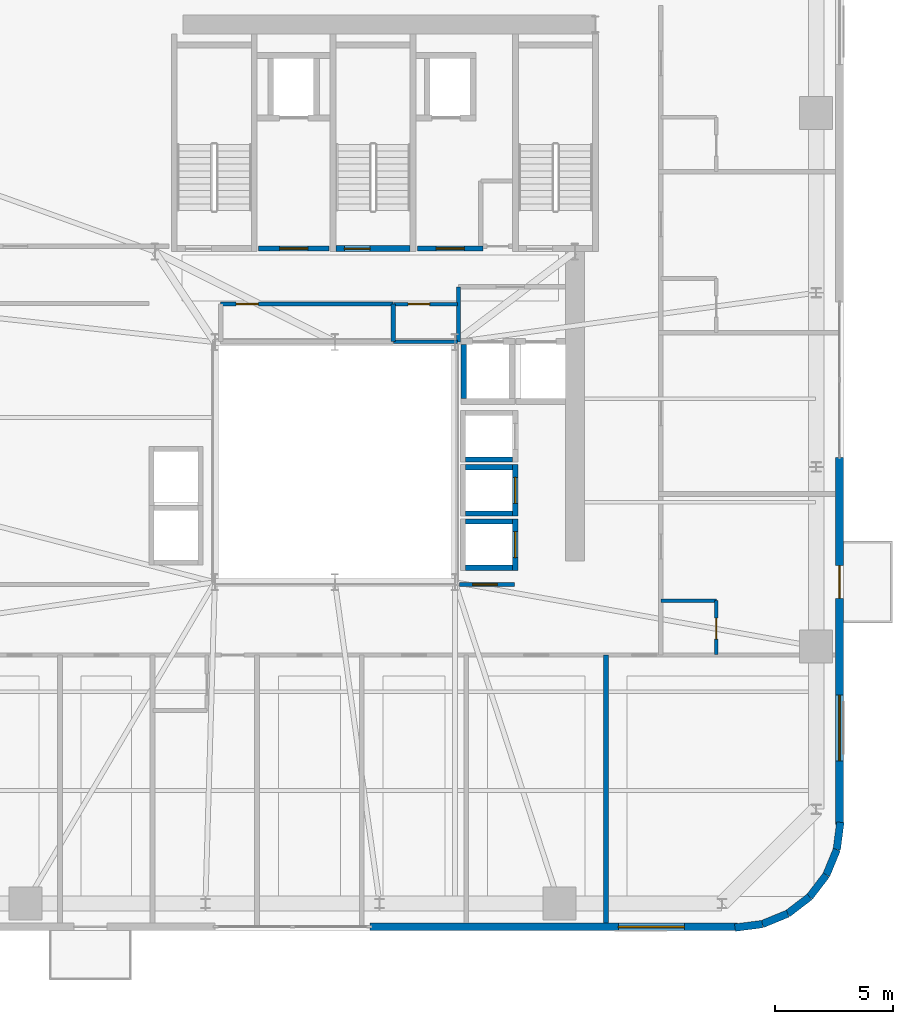
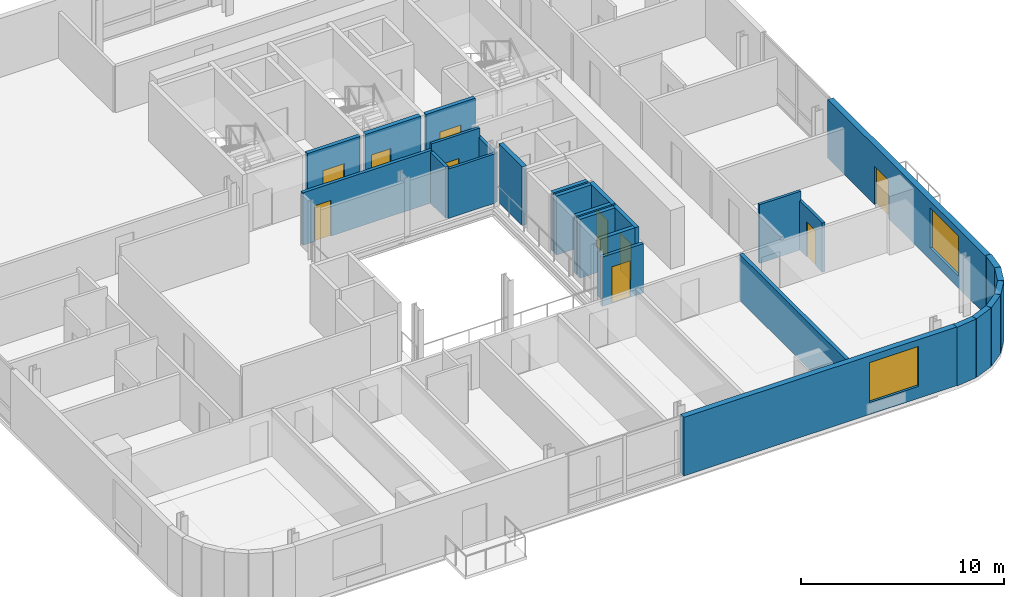
# One storey, part 9 of 16: 28 walls, 10 doors, 2 windows, 12 openings.
"""IFC4 building model written with IfcOpenShell, lengths in metres."""

import ifcopenshell
import ifcopenshell.guid

model = None  # the IFC model being written
_history = None  # IfcOwnerHistory: only IFC2X3 demands one
_inside = {}  # id of a spatial element -> (the spatial element, [elements in it])
_under = {}  # id of a project, library or spatial element -> (it, [spatial elements below it])
_declared = {}  # id of a project -> (the project, [libraries it declares])
_typed = {}  # id of a type object -> (the type object, [elements of that type])
_made_of = {}  # id of a material, layer set ... -> (it, [elements and type objects made of it])


def new_model(schema):
    """Start an empty IFC model of exactly this schema.

    Asked for "IFC4X3", IfcOpenShell would pick the latest addendum, in which some entities
    have other attributes; the version numbers below select the first issue.
    IFC2X3 requires an IfcOwnerHistory on every rooted entity: one is made here for all.
    """
    global model, _history
    if schema == "IFC4X3":
        model = ifcopenshell.file(schema_version=(4, 3, 0, 0))
    else:
        model = ifcopenshell.file(schema=schema)
    _inside.clear()
    _under.clear()
    _declared.clear()
    _typed.clear()
    _made_of.clear()
    _history = None
    if model.schema == "IFC2X3":
        org = make("IfcOrganization", Name="unknown")
        user = make(
            "IfcPersonAndOrganization",
            ThePerson=make("IfcPerson", FamilyName="unknown"),
            TheOrganization=org,
        )
        app = make(
            "IfcApplication",
            ApplicationDeveloper=org,
            Version="unknown",
            ApplicationFullName="unknown",
            ApplicationIdentifier="unknown",
        )
        _history = make(
            "IfcOwnerHistory",
            OwningUser=user,
            OwningApplication=app,
            ChangeAction="ADDED",
            CreationDate=0,
        )
    return model


def make(cls, **values):
    """One entity of the class cls with the attributes given. An attribute that is None is left unset."""
    return model.create_entity(
        cls, **{name: value for name, value in values.items() if value is not None}
    )


def rooted(cls, **values):
    """An entity with a GlobalId (a new one), such as an element, a storey or a relation."""
    return make(cls, GlobalId=ifcopenshell.guid.new(), OwnerHistory=_history, **values)


def si_unit(unit_type, name, prefix=None):
    """IfcSIUnit, for example si_unit("LENGTHUNIT", "METRE", prefix="MILLI")."""
    return make("IfcSIUnit", UnitType=unit_type, Prefix=prefix, Name=name)


def assignment(units):
    """IfcUnitAssignment: the units of a project."""
    return None if units is None else make("IfcUnitAssignment", Units=units)


def point(xyz):
    """IfcCartesianPoint."""
    return None if xyz is None else make("IfcCartesianPoint", Coordinates=xyz)


def direction(xyz):
    """IfcDirection."""
    return None if xyz is None else make("IfcDirection", DirectionRatios=xyz)


def frame(location, z_axis=None, x_axis=None):
    """IfcAxis2Placement3D, a coordinate frame: its origin and axes. An axis left out is left unset."""
    return make(
        "IfcAxis2Placement3D",
        Location=point(location),
        Axis=direction(z_axis),
        RefDirection=direction(x_axis),
    )


def frame_2d(location, x_axis=None):
    """IfcAxis2Placement2D, a coordinate frame in the plane: its origin and x axis."""
    return make(
        "IfcAxis2Placement2D", Location=point(location), RefDirection=direction(x_axis)
    )


def origin():
    """The frame at (0, 0, 0) with its axes left unset."""
    return frame((0.0, 0.0, 0.0))


def place(relative_to, where):
    """IfcLocalPlacement: puts the frame where relative to a parent placement (None: the world)."""
    return make(
        "IfcLocalPlacement", PlacementRelTo=relative_to, RelativePlacement=where
    )


def context(
    kind, dimensions, precision=None, world=None, true_north=None, identifier=None
):
    """IfcGeometricRepresentationContext, for example the 3D "Model" context."""
    return make(
        "IfcGeometricRepresentationContext",
        ContextIdentifier=identifier,
        ContextType=kind,
        CoordinateSpaceDimension=dimensions,
        Precision=precision,
        WorldCoordinateSystem=world,
        TrueNorth=true_north,
    )


def subcontext(parent, identifier, kind, view, scale=None):
    """IfcGeometricRepresentationSubContext, for example "Body" below "Model"."""
    return make(
        "IfcGeometricRepresentationSubContext",
        ContextIdentifier=identifier,
        ContextType=kind,
        ParentContext=parent,
        TargetScale=scale,
        TargetView=view,
    )


def project(units=None, contexts=None):
    """IfcProject with its units and contexts."""
    return rooted(
        "IfcProject",
        Name="project",
        RepresentationContexts=contexts,
        UnitsInContext=assignment(units),
    )


def spatial(cls, under=None, at=None, **own):
    """A site, building, storey or space (cls), placed at a placement, below another one or the project."""
    s = rooted(cls, ObjectPlacement=at, **own)
    if under is not None:
        _under.setdefault(under.id(), (under, []))[1].append(s)
    return s


def profile(cls, at=None, kind="AREA", **sizes):
    """A parametric profile (cls). Its sizes go by their IFC names, for example OverallWidth=200.0."""
    return make(cls, ProfileType=kind, Position=at, **sizes)


def rectangle(**sizes):
    """IfcRectangleProfileDef."""
    return profile("IfcRectangleProfileDef", **sizes)


def extrude(swept, where, along, depth):
    """IfcExtrudedAreaSolid: the profile swept, set in the frame where, extruded along a direction by depth."""
    return make(
        "IfcExtrudedAreaSolid",
        SweptArea=swept,
        Position=where,
        ExtrudedDirection=direction(along),
        Depth=depth,
    )


def shape(context_of_items, identifier, shape_type, items):
    """IfcShapeRepresentation: the items that make up one representation, for example the "Body"."""
    return make(
        "IfcShapeRepresentation",
        ContextOfItems=context_of_items,
        RepresentationIdentifier=identifier,
        RepresentationType=shape_type,
        Items=items,
    )


def source(mapping_origin, context_of_items, identifier, shape_type, items):
    """IfcRepresentationMap: a shape defined once, which mapped items show again and again."""
    return make(
        "IfcRepresentationMap",
        MappingOrigin=mapping_origin,
        MappedRepresentation=shape(context_of_items, identifier, shape_type, items),
    )


def transform(
    local_origin,
    x_axis=None,
    y_axis=None,
    z_axis=None,
    scale=None,
    scale2=None,
    scale3=None,
    uniform=True,
):
    """IfcCartesianTransformationOperator3D, or its non-uniform kind. x_axis, y_axis, z_axis: its Axis1, 2, 3."""
    if uniform:
        return make(
            "IfcCartesianTransformationOperator3D",
            Axis1=direction(x_axis),
            Axis2=direction(y_axis),
            LocalOrigin=point(local_origin),
            Scale=scale,
            Axis3=direction(z_axis),
        )
    return make(
        "IfcCartesianTransformationOperator3DnonUniform",
        Axis1=direction(x_axis),
        Axis2=direction(y_axis),
        LocalOrigin=point(local_origin),
        Scale=scale,
        Axis3=direction(z_axis),
        Scale2=scale2,
        Scale3=scale3,
    )


def mapped(mapping_source, mapping_target):
    """IfcMappedItem: shows the shape of a source again, moved by a transform."""
    return make(
        "IfcMappedItem", MappingSource=mapping_source, MappingTarget=mapping_target
    )


def material(Name=None, Category=None):
    """IfcMaterial."""
    return make("IfcMaterial", Name=Name, Category=Category)


def layer(
    of_material, thickness, ventilated=None, Name=None, Category=None, Priority=None
):
    """IfcMaterialLayer: one layer of a wall or slab, of a material (None: an air gap)."""
    return make(
        "IfcMaterialLayer",
        Material=of_material,
        LayerThickness=thickness,
        IsVentilated=ventilated,
        Name=Name,
        Category=Category,
        Priority=Priority,
    )


def layer_set(layers, Name=None):
    """IfcMaterialLayerSet."""
    return make("IfcMaterialLayerSet", MaterialLayers=layers, LayerSetName=Name)


def made_of(thing, what):
    """Note that an element or type object is made of a material, layer set ...; save() writes the relation."""
    if what is not None:
        _made_of.setdefault(what.id(), (what, []))[1].append(thing)
    return thing


def type_object(cls, material=None, **own):
    """A type object (cls), such as IfcWallType, which elements share."""
    return made_of(rooted(cls, **own), material)


def element(
    cls,
    number,
    at=None,
    inside=None,
    cuts=None,
    type_object=None,
    material=None,
    context=None,
    identifier="Body",
    shape_type=None,
    held_by="IfcProductDefinitionShape",
    body=None,
    shapes=None,
    **own,
):
    """One element of the class cls, such as IfcWall. Its Tag is "e" and its number.

    at: its placement. inside: the storey or other place that contains it. cuts: it is an
    opening in that element (IfcRelVoidsElement). A single representation is given by context,
    identifier, shape_type and body (its items); several are given by shapes. held_by: the class
    of the entity that holds the representations. save() writes the other relations.
    """
    e = rooted(cls, Tag="e%d" % number, ObjectPlacement=at, **own)
    if body is not None:
        shapes = [shape(context, identifier, shape_type, body)]
    if shapes is not None:
        e.Representation = make(held_by, Representations=shapes)
    if inside is not None:
        _inside.setdefault(inside.id(), (inside, []))[1].append(e)
    if cuts is not None:
        rooted(
            "IfcRelVoidsElement", RelatingBuildingElement=cuts, RelatedOpeningElement=e
        )
    if type_object is not None:
        _typed.setdefault(type_object.id(), (type_object, []))[1].append(e)
    return made_of(e, material)


def fill(opening, filler):
    """IfcRelFillsElement: the door or window that sits in an opening."""
    return rooted(
        "IfcRelFillsElement",
        RelatingOpeningElement=opening,
        RelatedBuildingElement=filler,
    )


def aggregate(whole, parts):
    """IfcRelAggregates: a whole, such as a stair, and the parts it consists of."""
    return rooted("IfcRelAggregates", RelatingObject=whole, RelatedObjects=parts)


def save(model, path):
    """Write the relations noted so far, then the file.

    IfcRelAggregates (storeys below a building ...), IfcRelContainedInSpatialStructure (elements
    in a storey), IfcRelDefinesByType, IfcRelAssociatesMaterial and IfcRelDeclares: one each for
    every whole, place, type object, material and project.
    """
    for whole, parts in _under.values():
        aggregate(whole, parts)
    for where, things in _inside.values():
        rooted(
            "IfcRelContainedInSpatialStructure",
            RelatedElements=things,
            RelatingStructure=where,
        )
    for kind, things in _typed.values():
        rooted("IfcRelDefinesByType", RelatedObjects=things, RelatingType=kind)
    for what, things in _made_of.values():
        rooted("IfcRelAssociatesMaterial", RelatedObjects=things, RelatingMaterial=what)
    for by, libraries in _declared.values():
        rooted("IfcRelDeclares", RelatingContext=by, RelatedDefinitions=libraries)
    model.write(path)


model = new_model("IFC4")

# Units and contexts
model_context = context("Model", 3, precision=1e-05, world=origin(), true_north=direction((0.0, 1.0)))
body_context = subcontext(model_context, "Body", "Model", "MODEL_VIEW")
ifc_project = project(units=[si_unit("LENGTHUNIT", "METRE"), si_unit("AREAUNIT", "SQUARE_METRE"), si_unit("VOLUMEUNIT", "CUBIC_METRE"), si_unit("PLANEANGLEUNIT", "RADIAN"), si_unit("MASSUNIT", "GRAM", prefix="KILO")], contexts=[model_context])

# Site, building, storey
site_placement = place(None, origin())
site = spatial("IfcSite", under=ifc_project, at=site_placement, CompositionType="ELEMENT")
building_placement = place(site_placement, origin())
building = spatial("IfcBuilding", under=site, at=building_placement, Name="Vardaveli Station Tower", CompositionType="ELEMENT")
storey_placement = place(building_placement, frame((0.0, 0.0, 211.050048828125)))
storey = spatial("IfcBuildingStorey", under=building, at=storey_placement, Name="L54", CompositionType="ELEMENT", Elevation=211.050048828125)

# Wall, opening, window
ifc_material_1 = material(Name="Precast concrete C45/55", Category="concrete")
ifc_layer_1 = layer(ifc_material_1, 0.320068359375, Name="Precast concrete C45/55")
ifc_layer_set_1 = layer_set([ifc_layer_1], Name="Precast concrete C45/55")
wall_type_1 = type_object("IfcWallType", Name="WAL-EXT-STONE-320", PredefinedType="SOLIDWALL", material=ifc_layer_set_1)
shared_shape_1 = source(origin(), body_context, "Body", "SweptSolid", [
    extrude(rectangle(XDim=15.599853515625, YDim=0.320068359375, at=frame_2d((7.7998046875, 0.0))), origin(), (0.0, 0.0, 1.0), 3.530029296875),
])
wall_1_placement = place(storey_placement, frame((37.800048828125, 1.9599609375, 0.0), z_axis=(0.0, 0.0, 1.0), x_axis=(1.0, 0.0, 0.0)))
wall_1 = element("IfcWall", 1, at=wall_1_placement, inside=storey, type_object=wall_type_1, Name="EW-L54-S2", PredefinedType="SOLIDWALL", context=body_context, shape_type="MappedRepresentation", body=[
    mapped(shared_shape_1, transform((0.0, 0.0, 0.0), scale=1.0)),
])
shared_shape_2 = source(origin(), body_context, "Body", "SweptSolid", [
    extrude(rectangle(XDim=2.800048828125, YDim=2.39990234375, at=frame_2d((1.39990234375, 1.199951171875))), frame((0.0, 0.169921875, 0.0), z_axis=(0.0, -1.0, 0.0), x_axis=(1.0, 0.0, 0.0)), (0.0, 0.0, 1.0), 0.340087890625),
])
opening_1_placement = place(wall_1_placement, frame((10.544921875, 0.0, 0.719970703125)))
opening_1 = element("IfcOpeningElement", 2, at=opening_1_placement, cuts=wall_1, Name="Opening W-04", PredefinedType="OPENING", context=body_context, shape_type="MappedRepresentation", body=[
    mapped(shared_shape_2, transform((0.0, 0.0, 0.0), scale=1.0)),
])
ifc_material_2 = material(Name="Low-E solar-control glass", Category="glass")
window_type = type_object("IfcWindowType", Name="WIN-SUITE-2800x2400", PartitioningType="SINGLE_PANEL", PredefinedType="WINDOW", material=ifc_material_2)
shared_shape_3 = source(origin(), body_context, "Body", "SweptSolid", [
    extrude(rectangle(XDim=2.800048828125, YDim=2.39990234375, at=frame_2d((1.39990234375, 1.199951171875))), frame((0.0, 0.030029296875, 0.0), z_axis=(0.0, -1.0, 0.0), x_axis=(1.0, 0.0, 0.0)), (0.0, 0.0, 1.0), 0.06005859375),
])
window_1_placement = place(opening_1_placement, origin())
window_1 = element("IfcWindow", 3, at=window_1_placement, inside=storey, type_object=window_type, Name="WN-L54-S2", OverallHeight=2.39990234375, OverallWidth=2.800048828125, PartitioningType="SINGLE_PANEL", PredefinedType="WINDOW", context=body_context, shape_type="MappedRepresentation", body=[
    mapped(shared_shape_3, transform((0.0, 0.0, 0.0), scale=1.0)),
])
fill(opening_1, window_1)

# Wall, openings, door, window
wall_2_placement = place(storey_placement, frame((57.739990234375, 6.300048828125, 0.0), z_axis=(0.0, 0.0, 1.0), x_axis=(0.0, 1.0, 0.0)))
wall_2 = element("IfcWall", 4, at=wall_2_placement, inside=storey, type_object=wall_type_1, Name="EW-L54-E1", PredefinedType="SOLIDWALL", context=body_context, shape_type="MappedRepresentation", body=[
    mapped(shared_shape_1, transform((0.0, 0.0, 0.0), scale=1.0)),
])
shared_shape_4 = source(origin(), body_context, "Body", "SweptSolid", [
    extrude(rectangle(XDim=1.39990234375, YDim=2.300048828125, at=frame_2d((0.699951171875, 1.14990234375))), frame((0.0, 0.169921875, 0.0), z_axis=(0.0, -1.0, 0.0), x_axis=(1.0, 0.0, 0.0)), (0.0, 0.0, 1.0), 0.340087890625),
])
opening_2_placement = place(wall_2_placement, frame((9.6103515625, 0.0, 0.0)))
opening_2 = element("IfcOpeningElement", 5, at=opening_2_placement, cuts=wall_2, Name="Opening D-09", PredefinedType="OPENING", context=body_context, shape_type="MappedRepresentation", body=[
    mapped(shared_shape_4, transform((0.0, 0.0, 0.0), scale=1.0)),
])
opening_3_placement = place(wall_2_placement, frame((2.705078125, 0.0, 0.719970703125)))
opening_3 = element("IfcOpeningElement", 6, at=opening_3_placement, cuts=wall_2, Name="Opening W-04", PredefinedType="OPENING", context=body_context, shape_type="MappedRepresentation", body=[
    mapped(shared_shape_2, transform((0.0, 0.0, 0.0), scale=1.0)),
])
ifc_material_3 = material(Name="Thermally broken aluminium glass", Category="aluminium")
door_type_1 = type_object("IfcDoorType", Name="DR-LOG-1400x2300", OperationType="DOUBLE_DOOR_SLIDING", PredefinedType="DOOR", material=ifc_material_3)
shared_shape_5 = source(origin(), body_context, "Body", "SweptSolid", [
    extrude(rectangle(XDim=1.39990234375, YDim=2.300048828125, at=frame_2d((0.699951171875, 1.14990234375))), frame((0.0, 0.02490234375, 0.0), z_axis=(0.0, -1.0, 0.0), x_axis=(1.0, 0.0, 0.0)), (0.0, 0.0, 1.0), 0.050048828125),
])
door_1_placement = place(opening_2_placement, frame((1.39990234375, 0.0, 0.0), z_axis=(0.0, 0.0, 1.0), x_axis=(-1.0, 0.0, 0.0)))
door_1 = element("IfcDoor", 7, at=door_1_placement, inside=storey, type_object=door_type_1, Name="DLG-L54-E", OperationType="DOUBLE_DOOR_SLIDING", OverallHeight=2.300048828125, OverallWidth=1.39990234375, PredefinedType="DOOR", context=body_context, shape_type="MappedRepresentation", body=[
    mapped(shared_shape_5, transform((0.0, 0.0, 0.0), scale=1.0)),
])
fill(opening_2, door_1)
window_2_placement = place(opening_3_placement, origin())
window_2 = element("IfcWindow", 8, at=window_2_placement, inside=storey, type_object=window_type, Name="WN-L54-E1", OverallHeight=2.39990234375, OverallWidth=2.800048828125, PartitioningType="SINGLE_PANEL", PredefinedType="WINDOW", context=body_context, shape_type="MappedRepresentation", body=[
    mapped(shared_shape_3, transform((0.0, 0.0, 0.0), scale=1.0)),
])
fill(opening_3, window_2)

# Walls
shared_shape_6 = source(origin(), body_context, "Body", "SweptSolid", [
    extrude(rectangle(XDim=1.170654296875, YDim=0.320068359375, at=frame_2d((0.58544921875, 0.0))), origin(), (0.0, 0.0, 1.0), 3.530029296875),
])
wall_3_placement = place(storey_placement, frame((57.62548828125, 5.23974609375, 0.0), z_axis=(0.0, 0.0, 1.0), x_axis=(0.128269133229, 0.991739395941, 0.0)))
element("IfcWall", 9, at=wall_3_placement, inside=storey, type_object=wall_type_1, Name="EW-L54-CR2-6", PredefinedType="SOLIDWALL", context=body_context, shape_type="MappedRepresentation", body=[
    mapped(shared_shape_6, transform((0.0, 0.0, 0.0), scale=1.0)),
])
shared_shape_7 = source(origin(), body_context, "Body", "SweptSolid", [
    extrude(rectangle(XDim=1.1689453125, YDim=0.320068359375, at=frame_2d((0.58447265625, 0.0))), origin(), (0.0, 0.0, 1.0), 3.530029296875),
])
for number, where, z_axis, x_axis, name in (
    (10, (56.46875, 3.231201171875, 0.0), (0.0, 0.0, 1.0), (0.608387696831, 0.793639975269, 0.0), "EW-L54-CR2-4"),
    (11, (57.179931640625, 4.158935546875, 0.0), (0.0, 0.0, 1.0), (0.381127904695, 0.924522320046, 0.0), "EW-L54-CR2-5"),
):
    element("IfcWall", number, at=place(storey_placement, frame(where, z_axis=z_axis, x_axis=x_axis)), inside=storey, type_object=wall_type_1, Name=name, PredefinedType="SOLIDWALL", context=body_context, shape_type="MappedRepresentation", body=[
        mapped(shared_shape_7, transform((0.0, 0.0, 0.0), scale=1.0)),
    ])
shared_shape_8 = source(origin(), body_context, "Body", "SweptSolid", [
    extrude(rectangle(XDim=1.168701171875, YDim=0.320068359375, at=frame_2d((0.58447265625, 0.0))), origin(), (0.0, 0.0, 1.0), 3.530029296875),
])
wall_4_placement = place(storey_placement, frame((55.541259765625, 2.520263671875, 0.0), z_axis=(0.0, 0.0, 1.0), x_axis=(0.793663520347, 0.608356981114, 0.0)))
element("IfcWall", 12, at=wall_4_placement, inside=storey, type_object=wall_type_1, Name="EW-L54-CR2-3", PredefinedType="SOLIDWALL", context=body_context, shape_type="MappedRepresentation", body=[
    mapped(shared_shape_8, transform((0.0, 0.0, 0.0), scale=1.0)),
])
shared_shape_9 = source(origin(), body_context, "Body", "SweptSolid", [
    extrude(rectangle(XDim=1.16943359375, YDim=0.320068359375, at=frame_2d((0.584716796875, 0.0))), origin(), (0.0, 0.0, 1.0), 3.530029296875),
])
wall_5_placement = place(storey_placement, frame((54.460205078125, 2.074462890625, 0.0), z_axis=(0.0, 0.0, 1.0), x_axis=(0.924479075121, 0.381232789334, 0.0)))
element("IfcWall", 13, at=wall_5_placement, inside=storey, type_object=wall_type_1, Name="EW-L54-CR2-2", PredefinedType="SOLIDWALL", context=body_context, shape_type="MappedRepresentation", body=[
    mapped(shared_shape_9, transform((0.0, 0.0, 0.0), scale=1.0)),
])
shared_shape_10 = source(origin(), body_context, "Body", "SweptSolid", [
    extrude(rectangle(XDim=1.170166015625, YDim=0.320068359375, at=frame_2d((0.5849609375, 0.0))), origin(), (0.0, 0.0, 1.0), 3.530029296875),
])
wall_6_placement = place(storey_placement, frame((53.299560546875, 1.924560546875, 0.0), z_axis=(0.0, 0.0, 1.0), x_axis=(0.991762485493, 0.128090485085, 0.0)))
element("IfcWall", 14, at=wall_6_placement, inside=storey, type_object=wall_type_1, Name="EW-L54-CR2-1", PredefinedType="SOLIDWALL", context=body_context, shape_type="MappedRepresentation", body=[
    mapped(shared_shape_10, transform((0.0, 0.0, 0.0), scale=1.0)),
])

# Wall, opening, door
ifc_material_4 = material(Name="Concrete C40/50", Category="concrete")
ifc_layer_2 = layer(ifc_material_4, 0.25, Name="Concrete C40/50")
ifc_layer_set_2 = layer_set([ifc_layer_2], Name="Concrete C40/50")
wall_type_2 = type_object("IfcWallType", Name="WAL-SHAFT-250", PredefinedType="SOLIDWALL", material=ifc_layer_set_2)
shared_shape_11 = source(origin(), body_context, "Body", "SweptSolid", [
    extrude(rectangle(XDim=3.14990234375, YDim=0.25, at=frame_2d((1.574951171875, 0.0))), origin(), (0.0, 0.0, 1.0), 3.550048828125),
])
wall_7_placement = place(storey_placement, frame((36.35009765625, 30.77490234375, 0.0), z_axis=(0.0, 0.0, 1.0), x_axis=(1.0, 0.0, 0.0)))
wall_7 = element("IfcWall", 15, at=wall_7_placement, inside=storey, type_object=wall_type_2, Name="W-L54-ST-2S", PredefinedType="SOLIDWALL", context=body_context, shape_type="MappedRepresentation", body=[
    mapped(shared_shape_11, transform((0.0, 0.0, 0.0), scale=1.0)),
])
shared_shape_12 = source(origin(), body_context, "Body", "SweptSolid", [
    extrude(rectangle(XDim=1.10009765625, YDim=2.199951171875, at=frame_2d((0.550048828125, 1.10009765625))), frame((0.0, 0.135009765625, 0.0), z_axis=(0.0, -1.0, 0.0), x_axis=(1.0, 0.0, 0.0)), (0.0, 0.0, 1.0), 0.27001953125),
])
opening_4_placement = place(wall_7_placement, frame((0.35009765625, 0.0, 0.0)))
opening_4 = element("IfcOpeningElement", 16, at=opening_4_placement, cuts=wall_7, Name="Opening D-04", PredefinedType="OPENING", context=body_context, shape_type="MappedRepresentation", body=[
    mapped(shared_shape_12, transform((0.0, 0.0, 0.0), scale=1.0)),
])
ifc_material_5 = material(Name="Steel smokeproof fire doorset", Category="steel")
door_type_2 = type_object("IfcDoorType", Name="DR-ST-1100x2200", OperationType="NOTDEFINED", PredefinedType="DOOR", material=ifc_material_5)
shared_shape_13 = source(origin(), body_context, "Body", "SweptSolid", [
    extrude(rectangle(XDim=1.10009765625, YDim=2.199951171875, at=frame_2d((0.550048828125, 1.10009765625))), frame((0.0, 0.02490234375, 0.0), z_axis=(0.0, -1.0, 0.0), x_axis=(1.0, 0.0, 0.0)), (0.0, 0.0, 1.0), 0.050048828125),
])
door_2_placement = place(opening_4_placement, origin())
door_2 = element("IfcDoor", 17, at=door_2_placement, inside=storey, type_object=door_type_2, Name="DST-2-L54", OperationType="SINGLE_SWING_LEFT", OverallHeight=2.199951171875, OverallWidth=1.10009765625, PredefinedType="DOOR", context=body_context, shape_type="MappedRepresentation", body=[
    mapped(shared_shape_13, transform((0.0, 0.0, 0.0), scale=1.0)),
])
fill(opening_4, door_2)

ifc_layer_3 = layer(ifc_material_4, 0.219970703125, Name="Concrete C40/50")
ifc_layer_set_3 = layer_set([ifc_layer_3], Name="Concrete C40/50")
wall_type_3 = type_object("IfcWallType", Name="WAL-FFLOBBY-220", PredefinedType="SOLIDWALL", material=ifc_layer_set_3)
shared_shape_14 = source(origin(), body_context, "Body", "SweptSolid", [
    extrude(rectangle(XDim=3.0, YDim=0.219970703125, at=frame_2d((1.5, 0.0))), origin(), (0.0, 0.0, 1.0), 3.530029296875),
])
wall_8_placement = place(storey_placement, frame((33.050048828125, 30.780029296875, 0.0), z_axis=(0.0, 0.0, 1.0), x_axis=(1.0, 0.0, 0.0)))
wall_8 = element("IfcWall", 18, at=wall_8_placement, inside=storey, type_object=wall_type_3, Name="W-L54-FFL1S", PredefinedType="SOLIDWALL", context=body_context, shape_type="MappedRepresentation", body=[
    mapped(shared_shape_14, transform((0.0, 0.0, 0.0), scale=1.0)),
])
shared_shape_15 = source(origin(), body_context, "Body", "SweptSolid", [
    extrude(rectangle(XDim=1.199951171875, YDim=2.199951171875, at=frame_2d((0.60009765625, 1.10009765625))), frame((0.0, 0.1201171875, 0.0), z_axis=(0.0, -1.0, 0.0), x_axis=(1.0, 0.0, 0.0)), (0.0, 0.0, 1.0), 0.239990234375),
])
opening_5_placement = place(wall_8_placement, frame((0.89990234375, 0.0, 0.0)))
opening_5 = element("IfcOpeningElement", 19, at=opening_5_placement, cuts=wall_8, Name="Opening D-03", PredefinedType="OPENING", context=body_context, shape_type="MappedRepresentation", body=[
    mapped(shared_shape_15, transform((0.0, 0.0, 0.0), scale=1.0)),
])
door_type_3 = type_object("IfcDoorType", Name="DR-FFL-1200x2200", OperationType="NOTDEFINED", PredefinedType="DOOR", material=ifc_material_5)
shared_shape_16 = source(origin(), body_context, "Body", "SweptSolid", [
    extrude(rectangle(XDim=1.199951171875, YDim=2.199951171875, at=frame_2d((0.60009765625, 1.10009765625))), frame((0.0, 0.02490234375, 0.0), z_axis=(0.0, -1.0, 0.0), x_axis=(1.0, 0.0, 0.0)), (0.0, 0.0, 1.0), 0.050048828125),
])
door_3_placement = place(opening_5_placement, origin())
door_3 = element("IfcDoor", 20, at=door_3_placement, inside=storey, type_object=door_type_3, Name="DFFL1-L54", OperationType="SINGLE_SWING_LEFT", OverallHeight=2.199951171875, OverallWidth=1.199951171875, PredefinedType="DOOR", context=body_context, shape_type="MappedRepresentation", body=[
    mapped(shared_shape_16, transform((0.0, 0.0, 0.0), scale=1.0)),
])
fill(opening_5, door_3)

shared_shape_17 = source(origin(), body_context, "Body", "SweptSolid", [
    extrude(rectangle(XDim=2.800048828125, YDim=0.219970703125, at=frame_2d((1.39990234375, 0.0))), origin(), (0.0, 0.0, 1.0), 3.530029296875),
])
wall_9_placement = place(storey_placement, frame((39.800048828125, 30.780029296875, 0.0), z_axis=(0.0, 0.0, 1.0), x_axis=(1.0, 0.0, 0.0)))
wall_9 = element("IfcWall", 21, at=wall_9_placement, inside=storey, type_object=wall_type_3, Name="W-L54-FFL2S", PredefinedType="SOLIDWALL", context=body_context, shape_type="MappedRepresentation", body=[
    mapped(shared_shape_17, transform((0.0, 0.0, 0.0), scale=1.0)),
])
opening_6_placement = place(wall_9_placement, frame((0.800048828125, 0.0, 0.0)))
opening_6 = element("IfcOpeningElement", 22, at=opening_6_placement, cuts=wall_9, Name="Opening D-03", PredefinedType="OPENING", context=body_context, shape_type="MappedRepresentation", body=[
    mapped(shared_shape_15, transform((0.0, 0.0, 0.0), scale=1.0)),
])
door_4_placement = place(opening_6_placement, origin())
door_4 = element("IfcDoor", 23, at=door_4_placement, inside=storey, type_object=door_type_3, Name="DFFL2-L54", OperationType="SINGLE_SWING_RIGHT", OverallHeight=2.199951171875, OverallWidth=1.199951171875, PredefinedType="DOOR", context=body_context, shape_type="MappedRepresentation", body=[
    mapped(shared_shape_16, transform((0.0, 0.0, 0.0), scale=1.0)),
])
fill(opening_6, door_4)

# Walls
shared_shape_18 = source(origin(), body_context, "Body", "SweptSolid", [
    extrude(rectangle(XDim=2.0, YDim=0.219970703125, at=frame_2d((1.0, 0.0))), origin(), (0.0, 0.0, 1.0), 3.530029296875),
])
for number, where, z_axis, x_axis, name in (
    (24, (41.85009765625, 21.81494140625, 0.0), (0.0, 0.0, 1.0), (1.0, 0.0, 0.0), "SHW-HL3-01-L54-S"),
    (25, (41.85009765625, 19.514892578125, 0.0), (0.0, 0.0, 1.0), (1.0, 0.0, 0.0), "SHW-HL3-02-L54-S"),
    (26, (41.85009765625, 21.485107421875, 0.0), (0.0, 0.0, 1.0), (1.0, 0.0, 0.0), "SHW-HL3-02-L54-N"),
    (27, (41.85009765625, 17.215087890625, 0.0), (0.0, 0.0, 1.0), (1.0, 0.0, 0.0), "SHW-HL3-03-L54-S"),
    (28, (41.85009765625, 19.18505859375, 0.0), (0.0, 0.0, 1.0), (1.0, 0.0, 0.0), "SHW-HL3-03-L54-N"),
):
    element("IfcWall", number, at=place(storey_placement, frame(where, z_axis=z_axis, x_axis=x_axis)), inside=storey, type_object=wall_type_3, Name=name, PredefinedType="SOLIDWALL", context=body_context, shape_type="MappedRepresentation", body=[
        mapped(shared_shape_18, transform((0.0, 0.0, 0.0), scale=1.0)),
    ])

# Wall, opening, door
shared_shape_19 = source(origin(), body_context, "Body", "SweptSolid", [
    extrude(rectangle(XDim=2.18994140625, YDim=0.219970703125, at=frame_2d((1.094970703125, 0.0))), origin(), (0.0, 0.0, 1.0), 3.530029296875),
])
wall_10_placement = place(storey_placement, frame((43.9599609375, 19.405029296875, 0.0), z_axis=(0.0, 0.0, 1.0), x_axis=(0.0, 1.0, 0.0)))
wall_10 = element("IfcWall", 29, at=wall_10_placement, inside=storey, type_object=wall_type_3, Name="SHW-HL3-02-L54-E", PredefinedType="SOLIDWALL", context=body_context, shape_type="MappedRepresentation", body=[
    mapped(shared_shape_19, transform((0.0, 0.0, 0.0), scale=1.0)),
])
shared_shape_20 = source(origin(), body_context, "Body", "SweptSolid", [
    extrude(rectangle(XDim=1.10009765625, YDim=2.199951171875, at=frame_2d((0.550048828125, 1.10009765625))), frame((0.0, 0.1201171875, 0.0), z_axis=(0.0, -1.0, 0.0), x_axis=(1.0, 0.0, 0.0)), (0.0, 0.0, 1.0), 0.239990234375),
])
opening_7_placement = place(wall_10_placement, frame((0.544921875, 0.0, 0.0)))
opening_7 = element("IfcOpeningElement", 30, at=opening_7_placement, cuts=wall_10, Name="Opening LD-01", PredefinedType="OPENING", context=body_context, shape_type="MappedRepresentation", body=[
    mapped(shared_shape_20, transform((0.0, 0.0, 0.0), scale=1.0)),
])
ifc_material_6 = material(Name="Brushed stainless steel", Category="steel")
door_type_4 = type_object("IfcDoorType", Name="DR-LD-1100x2200", OperationType="DOUBLE_DOOR_SLIDING", PredefinedType="DOOR", material=ifc_material_6)
door_5_placement = place(opening_7_placement, origin())
door_5 = element("IfcDoor", 31, at=door_5_placement, inside=storey, type_object=door_type_4, Name="LD-HL3-02-L54", OperationType="DOUBLE_DOOR_SLIDING", OverallHeight=2.199951171875, OverallWidth=1.10009765625, PredefinedType="DOOR", context=body_context, shape_type="MappedRepresentation", body=[
    mapped(shared_shape_13, transform((0.0, 0.0, 0.0), scale=1.0)),
])
fill(opening_7, door_5)

wall_11_placement = place(storey_placement, frame((43.9599609375, 17.10498046875, 0.0), z_axis=(0.0, 0.0, 1.0), x_axis=(0.0, 1.0, 0.0)))
wall_11 = element("IfcWall", 32, at=wall_11_placement, inside=storey, type_object=wall_type_3, Name="SHW-HL3-03-L54-E", PredefinedType="SOLIDWALL", context=body_context, shape_type="MappedRepresentation", body=[
    mapped(shared_shape_19, transform((0.0, 0.0, 0.0), scale=1.0)),
])
opening_8_placement = place(wall_11_placement, frame((0.544921875, 0.0, 0.0)))
opening_8 = element("IfcOpeningElement", 33, at=opening_8_placement, cuts=wall_11, Name="Opening LD-01", PredefinedType="OPENING", context=body_context, shape_type="MappedRepresentation", body=[
    mapped(shared_shape_20, transform((0.0, 0.0, 0.0), scale=1.0)),
])
door_6_placement = place(opening_8_placement, origin())
door_6 = element("IfcDoor", 34, at=door_6_placement, inside=storey, type_object=door_type_4, Name="LD-HL3-03-L54", OperationType="DOUBLE_DOOR_SLIDING", OverallHeight=2.199951171875, OverallWidth=1.10009765625, PredefinedType="DOOR", context=body_context, shape_type="MappedRepresentation", body=[
    mapped(shared_shape_13, transform((0.0, 0.0, 0.0), scale=1.0)),
])
fill(opening_8, door_6)

# Wall
shared_shape_21 = source(origin(), body_context, "Body", "SweptSolid", [
    extrude(rectangle(XDim=2.300048828125, YDim=0.25, at=frame_2d((1.14990234375, 0.0))), origin(), (0.0, 0.0, 1.0), 3.530029296875),
])
wall_12_placement = place(storey_placement, frame((41.77490234375, 24.39990234375, 0.0), z_axis=(0.0, 0.0, 1.0), x_axis=(0.0, 1.0, 0.0)))
element("IfcWall", 35, at=wall_12_placement, inside=storey, type_object=wall_type_2, Name="SHW-SRV-01-L54-W", PredefinedType="SOLIDWALL", context=body_context, shape_type="MappedRepresentation", body=[
    mapped(shared_shape_21, transform((0.0, 0.0, 0.0), scale=1.0)),
])

# Wall, opening, door
ifc_material_7 = material(Name="Fire-rated gypsum stud partition")
ifc_layer_4 = layer(ifc_material_7, 0.179931640625, Name="Fire-rated gypsum stud partition")
ifc_layer_set_4 = layer_set([ifc_layer_4], Name="Fire-rated gypsum stud partition")
wall_type_4 = type_object("IfcWallType", Name="WAL-CORR-180", PredefinedType="PARTITIONING", material=ifc_layer_set_4)
shared_shape_22 = source(origin(), body_context, "Body", "SweptSolid", [
    extrude(rectangle(XDim=2.329833984375, YDim=0.179931640625, at=frame_2d((1.1650390625, 0.0))), origin(), (0.0, 0.0, 1.0), 2.971923828125),
])
wall_13_placement = place(storey_placement, frame((41.60009765625, 16.5, 0.0), z_axis=(0.0, 0.0, 1.0), x_axis=(1.0, 0.0, 0.0)))
wall_13 = element("IfcWall", 36, at=wall_13_placement, inside=storey, type_object=wall_type_4, Name="W-L54-ATE-S", PredefinedType="PARTITIONING", context=body_context, shape_type="MappedRepresentation", body=[
    mapped(shared_shape_22, transform((0.0, 0.0, 0.0), scale=1.0)),
])
shared_shape_23 = source(origin(), body_context, "Body", "SweptSolid", [
    extrude(rectangle(XDim=1.050048828125, YDim=2.199951171875, at=frame_2d((0.52490234375, 1.10009765625))), frame((0.0, 0.10009765625, 0.0), z_axis=(0.0, -1.0, 0.0), x_axis=(1.0, 0.0, 0.0)), (0.0, 0.0, 1.0), 0.199951171875),
])
opening_9_placement = place(wall_13_placement, frame((0.550048828125, 0.0, 0.0)))
opening_9 = element("IfcOpeningElement", 37, at=opening_9_placement, cuts=wall_13, Name="Opening D-05", PredefinedType="OPENING", context=body_context, shape_type="MappedRepresentation", body=[
    mapped(shared_shape_23, transform((0.0, 0.0, 0.0), scale=1.0)),
])
ifc_material_8 = material(Name="Walnut veneer acoustic fire door")
door_type_5 = type_object("IfcDoorType", Name="DR-SUITE-1050x2200", OperationType="NOTDEFINED", PredefinedType="DOOR", material=ifc_material_8)
shared_shape_24 = source(origin(), body_context, "Body", "SweptSolid", [
    extrude(rectangle(XDim=1.050048828125, YDim=2.199951171875, at=frame_2d((0.52490234375, 1.10009765625))), frame((0.0, 0.02490234375, 0.0), z_axis=(0.0, -1.0, 0.0), x_axis=(1.0, 0.0, 0.0)), (0.0, 0.0, 1.0), 0.050048828125),
])
door_7_placement = place(opening_9_placement, origin())
door_7 = element("IfcDoor", 38, at=door_7_placement, inside=storey, type_object=door_type_5, Name="D-L54-ATE1", OperationType="SINGLE_SWING_RIGHT", OverallHeight=2.199951171875, OverallWidth=1.050048828125, PredefinedType="DOOR", context=body_context, shape_type="MappedRepresentation", body=[
    mapped(shared_shape_24, transform((0.0, 0.0, 0.0), scale=1.0)),
])
fill(opening_9, door_7)

ifc_material_9 = material(Name="Moisture-resistant stud partition")
ifc_layer_5 = layer(ifc_material_9, 0.14990234375, Name="Moisture-resistant stud partition")
ifc_layer_set_5 = layer_set([ifc_layer_5], Name="Moisture-resistant stud partition")
wall_type_5 = type_object("IfcWallType", Name="WAL-WET-150", PredefinedType="PARTITIONING", material=ifc_layer_set_5)
shared_shape_25 = source(origin(), body_context, "Body", "SweptSolid", [
    extrude(rectangle(XDim=2.2900390625, YDim=0.14990234375, at=frame_2d((1.14501953125, 0.0))), origin(), (0.0, 0.0, 1.0), 2.971923828125),
])
wall_14_placement = place(storey_placement, frame((52.510009765625, 13.530029296875, 0.0), z_axis=(0.0, 0.0, 1.0), x_axis=(0.0, 1.0, 0.0)))
wall_14 = element("IfcWall", 39, at=wall_14_placement, inside=storey, type_object=wall_type_5, Name="W-L54-BE1-E", PredefinedType="PARTITIONING", context=body_context, shape_type="MappedRepresentation", body=[
    mapped(shared_shape_25, transform((0.0, 0.0, 0.0), scale=1.0)),
])
shared_shape_26 = source(origin(), body_context, "Body", "SweptSolid", [
    extrude(rectangle(XDim=0.89990234375, YDim=2.10009765625, at=frame_2d((0.449951171875, 1.050048828125))), frame((0.0, 0.0849609375, 0.0), z_axis=(0.0, -1.0, 0.0), x_axis=(1.0, 0.0, 0.0)), (0.0, 0.0, 1.0), 0.169921875),
])
opening_10_placement = place(wall_14_placement, frame((0.64990234375, 0.0, 0.0)))
opening_10 = element("IfcOpeningElement", 40, at=opening_10_placement, cuts=wall_14, Name="Opening D-08", PredefinedType="OPENING", context=body_context, shape_type="MappedRepresentation", body=[
    mapped(shared_shape_26, transform((0.0, 0.0, 0.0), scale=1.0)),
])
ifc_material_10 = material(Name="Moisture-resistant oak door")
door_type_6 = type_object("IfcDoorType", Name="DR-BATH-900x2100", OperationType="NOTDEFINED", PredefinedType="DOOR", material=ifc_material_10)
shared_shape_27 = source(origin(), body_context, "Body", "SweptSolid", [
    extrude(rectangle(XDim=0.89990234375, YDim=2.10009765625, at=frame_2d((0.449951171875, 1.050048828125))), frame((0.0, 0.02490234375, 0.0), z_axis=(0.0, -1.0, 0.0), x_axis=(1.0, 0.0, 0.0)), (0.0, 0.0, 1.0), 0.050048828125),
])
door_8_placement = place(opening_10_placement, origin())
door_8 = element("IfcDoor", 41, at=door_8_placement, inside=storey, type_object=door_type_6, Name="D-L54-BE1", OperationType="SINGLE_SWING_RIGHT", OverallHeight=2.10009765625, OverallWidth=0.89990234375, PredefinedType="DOOR", context=body_context, shape_type="MappedRepresentation", body=[
    mapped(shared_shape_27, transform((0.0, 0.0, 0.0), scale=1.0)),
])
fill(opening_10, door_8)

# Walls
ifc_material_11 = material(Name="Acoustic twin-stud gypsum partition")
ifc_layer_6 = layer(ifc_material_11, 0.199951171875, Name="Acoustic twin-stud gypsum partition")
ifc_layer_set_6 = layer_set([ifc_layer_6], Name="Acoustic twin-stud gypsum partition")
wall_type_6 = type_object("IfcWallType", Name="WAL-PARTY-200", PredefinedType="PARTITIONING", material=ifc_layer_set_6)
shared_shape_28 = source(origin(), body_context, "Body", "SweptSolid", [
    extrude(rectangle(XDim=11.387939453125, YDim=0.199951171875, at=frame_2d((5.69384765625, 0.0))), origin(), (0.0, 0.0, 1.0), 2.77197265625),
])
wall_15_placement = place(storey_placement, frame((47.820068359375, 2.1220703125, 0.0), z_axis=(0.0, 0.0, 1.0), x_axis=(0.0, 1.0, 0.0)))
element("IfcWall", 42, at=wall_15_placement, inside=storey, type_object=wall_type_6, Name="W-L54-PS7", PredefinedType="PARTITIONING", context=body_context, shape_type="MappedRepresentation", body=[
    mapped(shared_shape_28, transform((0.0, 0.0, 0.0), scale=1.0)),
])
shared_shape_29 = source(origin(), body_context, "Body", "SweptSolid", [
    extrude(rectangle(XDim=2.360107421875, YDim=0.14990234375, at=frame_2d((1.18017578125, 0.0))), origin(), (0.0, 0.0, 1.0), 3.530029296875),
])
wall_16_placement = place(storey_placement, frame((50.14990234375, 15.820068359375, 0.0), z_axis=(0.0, 0.0, 1.0), x_axis=(1.0, 0.0, 0.0)))
element("IfcWall", 43, at=wall_16_placement, inside=storey, type_object=wall_type_5, Name="W-L54-BE1-N", PredefinedType="PARTITIONING", context=body_context, shape_type="MappedRepresentation", body=[
    mapped(shared_shape_29, transform((0.0, 0.0, 0.0), scale=1.0)),
])
shared_shape_30 = source(origin(), body_context, "Body", "SweptSolid", [
    extrude(rectangle(XDim=2.349853515625, YDim=0.179931640625, at=frame_2d((1.1748046875, 0.0))), origin(), (0.0, 0.0, 1.0), 2.971923828125),
])
wall_17_placement = place(storey_placement, frame((41.550048828125, 26.800048828125, 0.0), z_axis=(0.0, 0.0, 1.0), x_axis=(0.0, 1.0, 0.0)))
element("IfcWall", 44, at=wall_17_placement, inside=storey, type_object=wall_type_4, Name="W-L54-SVFW", PredefinedType="PARTITIONING", context=body_context, shape_type="MappedRepresentation", body=[
    mapped(shared_shape_30, transform((0.0, 0.0, 0.0), scale=1.0)),
])
shared_shape_31 = source(origin(), body_context, "Body", "SweptSolid", [
    extrude(rectangle(XDim=1.599853515625, YDim=0.179931640625, at=frame_2d((0.7998046875, 0.0))), origin(), (0.0, 0.0, 1.0), 3.072021484375),
])
wall_18_placement = place(storey_placement, frame((38.780029296875, 26.820068359375, 0.0), z_axis=(0.0, 0.0, 1.0), x_axis=(0.0, 1.0, 0.0)))
element("IfcWall", 45, at=wall_18_placement, inside=storey, type_object=wall_type_4, Name="W-L54-HKP0-E", PredefinedType="PARTITIONING", context=body_context, shape_type="MappedRepresentation", body=[
    mapped(shared_shape_31, transform((0.0, 0.0, 0.0), scale=1.0)),
])

# Wall, opening, door
shared_shape_32 = source(origin(), body_context, "Body", "SweptSolid", [
    extrude(rectangle(XDim=7.330078125, YDim=0.179931640625, at=frame_2d((3.6650390625, 0.0))), origin(), (0.0, 0.0, 1.0), 3.161865234375),
])
wall_19_placement = place(storey_placement, frame((31.449951171875, 28.419921875, 0.0), z_axis=(0.0, 0.0, 1.0), x_axis=(1.0, 0.0, 0.0)))
wall_19 = element("IfcWall", 46, at=wall_19_placement, inside=storey, type_object=wall_type_4, Name="W-L54-HKP0-N", PredefinedType="PARTITIONING", context=body_context, shape_type="MappedRepresentation", body=[
    mapped(shared_shape_32, transform((0.0, 0.0, 0.0), scale=1.0)),
])
shared_shape_33 = source(origin(), body_context, "Body", "SweptSolid", [
    extrude(rectangle(XDim=0.949951171875, YDim=2.14990234375, at=frame_2d((0.47509765625, 1.074951171875))), frame((0.0, 0.10009765625, 0.0), z_axis=(0.0, -1.0, 0.0), x_axis=(1.0, 0.0, 0.0)), (0.0, 0.0, 1.0), 0.199951171875),
])
opening_11_placement = place(wall_19_placement, frame((0.64990234375, 0.0, 0.0)))
opening_11 = element("IfcOpeningElement", 47, at=opening_11_placement, cuts=wall_19, Name="Opening D-06", PredefinedType="OPENING", context=body_context, shape_type="MappedRepresentation", body=[
    mapped(shared_shape_33, transform((0.0, 0.0, 0.0), scale=1.0)),
])
ifc_material_12 = material(Name="Oak veneer acoustic fire door")
door_type_7 = type_object("IfcDoorType", Name="DR-GUEST-950x2150", OperationType="NOTDEFINED", PredefinedType="DOOR", material=ifc_material_12)
shared_shape_34 = source(origin(), body_context, "Body", "SweptSolid", [
    extrude(rectangle(XDim=0.949951171875, YDim=2.14990234375, at=frame_2d((0.47509765625, 1.074951171875))), frame((0.0, 0.02490234375, 0.0), z_axis=(0.0, -1.0, 0.0), x_axis=(1.0, 0.0, 0.0)), (0.0, 0.0, 1.0), 0.050048828125),
])
door_9_placement = place(opening_11_placement, origin())
door_9 = element("IfcDoor", 48, at=door_9_placement, inside=storey, type_object=door_type_7, Name="D-L54-HKP", OperationType="SINGLE_SWING_LEFT", OverallHeight=2.14990234375, OverallWidth=0.949951171875, PredefinedType="DOOR", context=body_context, shape_type="MappedRepresentation", body=[
    mapped(shared_shape_34, transform((0.0, 0.0, 0.0), scale=1.0)),
])
fill(opening_11, door_9)

shared_shape_35 = source(origin(), body_context, "Body", "SweptSolid", [
    extrude(rectangle(XDim=2.739990234375, YDim=0.14990234375, at=frame_2d((1.3701171875, 0.0))), origin(), (0.0, 0.0, 1.0), 3.530029296875),
])
wall_20_placement = place(storey_placement, frame((38.780029296875, 28.419921875, 0.0), z_axis=(0.0, 0.0, 1.0), x_axis=(1.0, 0.0, 0.0)))
wall_20 = element("IfcWall", 49, at=wall_20_placement, inside=storey, type_object=wall_type_5, Name="W-L54-WCA0-N", PredefinedType="PARTITIONING", context=body_context, shape_type="MappedRepresentation", body=[
    mapped(shared_shape_35, transform((0.0, 0.0, 0.0), scale=1.0)),
])
shared_shape_36 = source(origin(), body_context, "Body", "SweptSolid", [
    extrude(rectangle(XDim=0.919921875, YDim=2.10009765625, at=frame_2d((0.4599609375, 1.050048828125))), frame((0.0, 0.0849609375, 0.0), z_axis=(0.0, -1.0, 0.0), x_axis=(1.0, 0.0, 0.0)), (0.0, 0.0, 1.0), 0.169921875),
])
opening_12_placement = place(wall_20_placement, frame((0.6298828125, 0.0, 0.0)))
opening_12 = element("IfcOpeningElement", 50, at=opening_12_placement, cuts=wall_20, Name="Opening D-07", PredefinedType="OPENING", context=body_context, shape_type="MappedRepresentation", body=[
    mapped(shared_shape_36, transform((0.0, 0.0, 0.0), scale=1.0)),
])
ifc_material_13 = material(Name="Moisture-resistant hardwood door", Category="wood")
door_type_8 = type_object("IfcDoorType", Name="DR-WC-920x2100", OperationType="NOTDEFINED", PredefinedType="DOOR", material=ifc_material_13)
shared_shape_37 = source(origin(), body_context, "Body", "SweptSolid", [
    extrude(rectangle(XDim=0.919921875, YDim=2.10009765625, at=frame_2d((0.4599609375, 1.050048828125))), frame((0.0, 0.02490234375, 0.0), z_axis=(0.0, -1.0, 0.0), x_axis=(1.0, 0.0, 0.0)), (0.0, 0.0, 1.0), 0.050048828125),
])
door_10_placement = place(opening_12_placement, origin())
door_10 = element("IfcDoor", 51, at=door_10_placement, inside=storey, type_object=door_type_8, Name="D-L54-WCA", OperationType="SINGLE_SWING_LEFT", OverallHeight=2.10009765625, OverallWidth=0.919921875, PredefinedType="DOOR", context=body_context, shape_type="MappedRepresentation", body=[
    mapped(shared_shape_37, transform((0.0, 0.0, 0.0), scale=1.0)),
])
fill(opening_12, door_10)

# Wall
shared_shape_38 = source(origin(), body_context, "Body", "SweptSolid", [
    extrude(rectangle(XDim=2.739990234375, YDim=0.14990234375, at=frame_2d((1.3701171875, 0.0))), origin(), (0.0, 0.0, 1.0), 2.971923828125),
])
wall_21_placement = place(storey_placement, frame((38.780029296875, 26.820068359375, 0.0), z_axis=(0.0, 0.0, 1.0), x_axis=(1.0, 0.0, 0.0)))
element("IfcWall", 52, at=wall_21_placement, inside=storey, type_object=wall_type_5, Name="W-L54-WCA0-S", PredefinedType="PARTITIONING", context=body_context, shape_type="MappedRepresentation", body=[
    mapped(shared_shape_38, transform((0.0, 0.0, 0.0), scale=1.0)),
])

save(model, "model.ifc")
